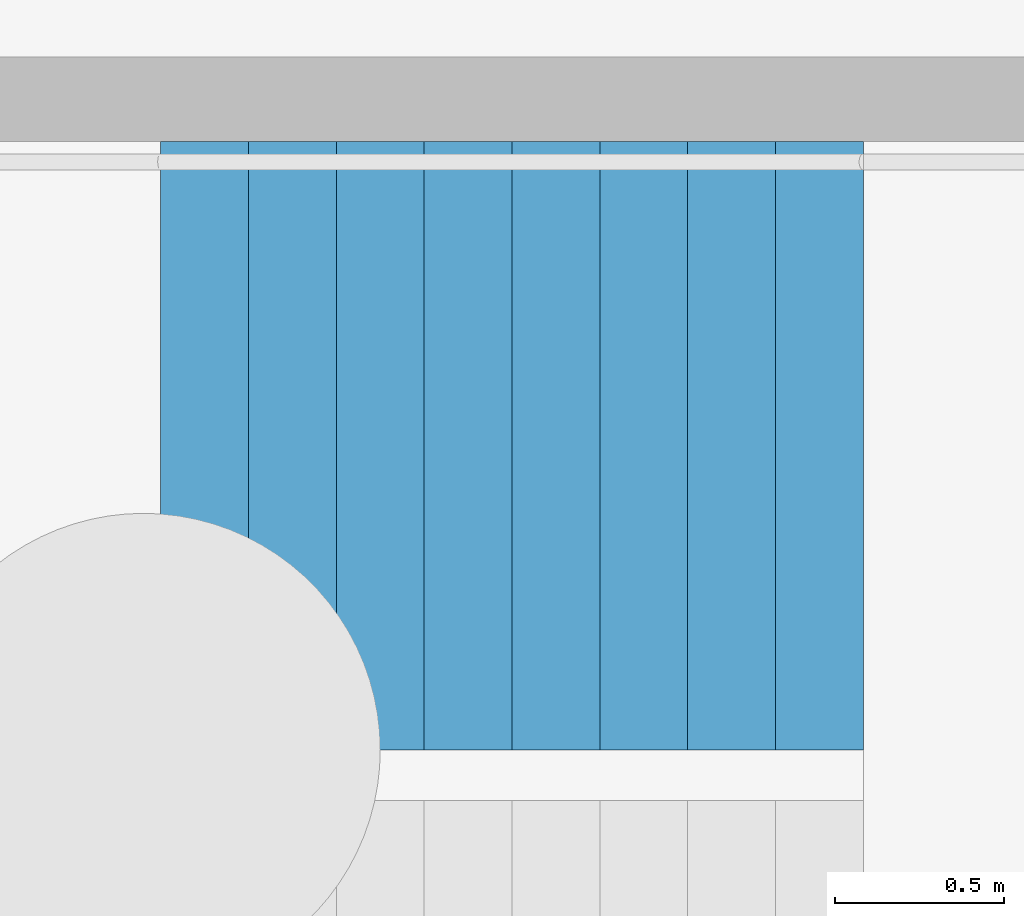
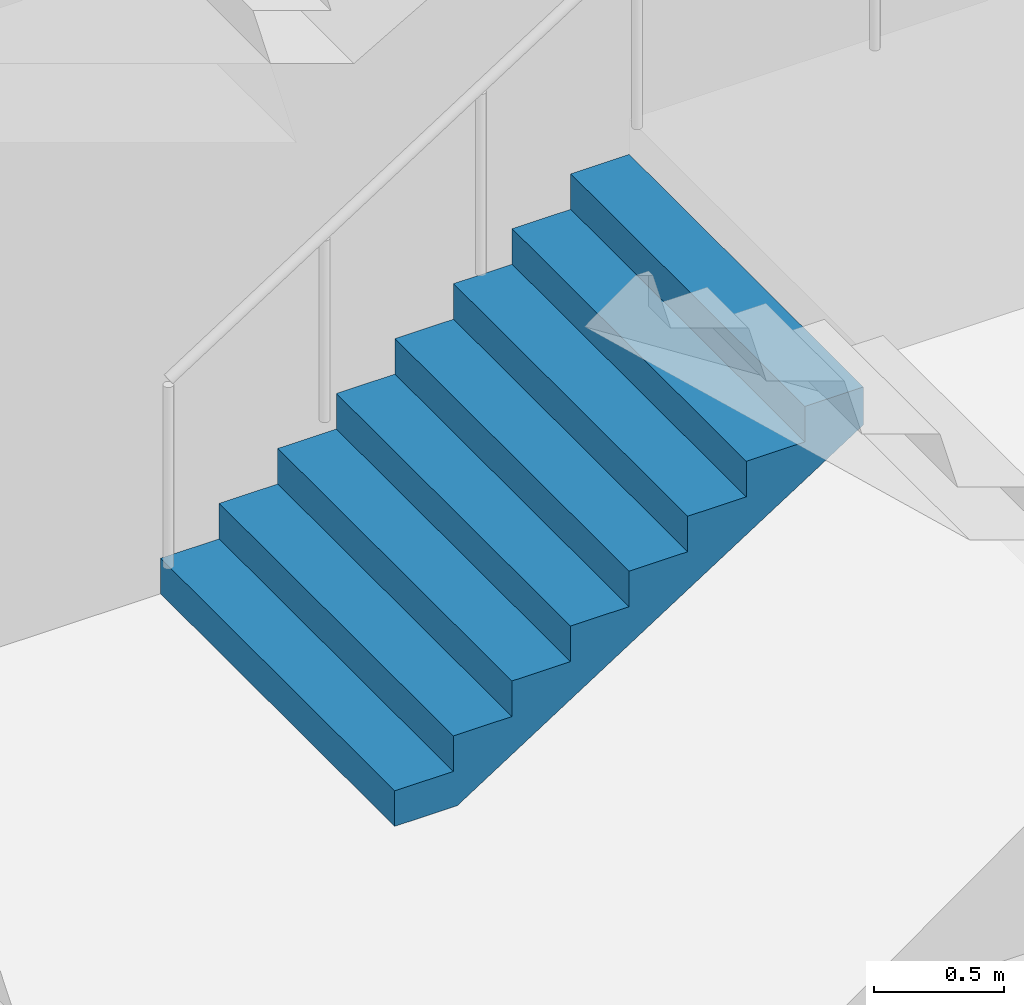
# One storey, part 75 of 113: 1 stair flight, 1 element without a shape of its own.
"""IFC4 building model written with IfcOpenShell, lengths in metres."""

from ifc_helpers import new_model, si_unit, direction, frame, origin, place, context, subcontext, project, spatial, triangles, material, type_object, element, aggregate, save


model = new_model("IFC4")

# Units and contexts
model_context = context("Model", 3, precision=1e-05, world=origin(), true_north=direction((0.0, 1.0)))
body_context = subcontext(model_context, "Body", "Model", "MODEL_VIEW")
ifc_project = project(units=[si_unit("LENGTHUNIT", "METRE"), si_unit("AREAUNIT", "SQUARE_METRE"), si_unit("VOLUMEUNIT", "CUBIC_METRE"), si_unit("PLANEANGLEUNIT", "RADIAN"), si_unit("MASSUNIT", "GRAM", prefix="KILO")], contexts=[model_context])

# Site, building, storey
site_placement = place(None, origin())
site = spatial("IfcSite", under=ifc_project, at=site_placement, CompositionType="ELEMENT")
building_placement = place(site_placement, origin())
building = spatial("IfcBuilding", under=site, at=building_placement, Name="Hakoniwa Tower and Hamabe Station Hall", CompositionType="ELEMENT")
storey_placement = place(building_placement, origin())
storey = spatial("IfcBuildingStorey", under=building, at=storey_placement, Name="L01", CompositionType="ELEMENT", Elevation=0.0)

# Stair, stair flight
ifc_material_1 = material(Name="Concrete C40", Category="concrete")
stair_type = type_object("IfcStairType", Name="ESCAPE STAIR 1800", PredefinedType="HALF_TURN_STAIR", material=ifc_material_1)
stair_placement = place(storey_placement, origin())
stair = element("IfcStair", 1, at=stair_placement, inside=storey, type_object=stair_type, Name="Escape stair ST-4 L01", PredefinedType="HALF_TURN_STAIR")
ifc_material_2 = material(Name="Concrete C40", Category="concrete")
stair_flight_type = type_object("IfcStairFlightType", Name="STAIR FLIGHT 1800", PredefinedType="STRAIGHT", material=ifc_material_2)
stair_flight_placement = place(storey_placement, frame((23.39990234375, -4.64990234375, 0.0), z_axis=(0.0, 0.0, 1.0), x_axis=(1.0, 0.0, 0.0)))
stair_flight = element("IfcStairFlight", 2, at=stair_flight_placement, type_object=stair_flight_type, Name="ST-4 flight 1", NumberOfRisers=9, NumberOfTreads=8, PredefinedType="STRAIGHT", RiserHeight=0.166666667, TreadLength=0.26, context=body_context, shape_type="Tessellation", body=[
    triangles([(0.0, 0.89990234375, 0.0), (0.260009765625, 0.89990234375, 0.0), (0.27783203125, 0.89990234375, 0.0), (0.52001953125, 0.89990234375, 0.1552734375), (0.780029296875, 0.89990234375, 0.322021484375), (1.0400390625, 0.89990234375, 0.488525390625), (1.300048828125, 0.89990234375, 0.6552734375), (1.56005859375, 0.89990234375, 0.822021484375), (1.820068359375, 0.89990234375, 0.988525390625), (2.080078125, 0.89990234375, 1.1552734375), (2.080078125, 0.89990234375, 1.333251953125), (1.820068359375, 0.89990234375, 1.333251953125), (1.820068359375, 0.89990234375, 1.166748046875), (1.56005859375, 0.89990234375, 1.166748046875), (1.56005859375, 0.89990234375, 1.0), (1.300048828125, 0.89990234375, 1.0), (1.300048828125, 0.89990234375, 0.833251953125), (1.0400390625, 0.89990234375, 0.833251953125), (1.0400390625, 0.89990234375, 0.666748046875), (0.780029296875, 0.89990234375, 0.666748046875), (0.780029296875, 0.89990234375, 0.5), (0.52001953125, 0.89990234375, 0.5), (0.52001953125, 0.89990234375, 0.333251953125), (0.27783203125, 0.89990234375, 0.333251953125), (0.260009765625, 0.89990234375, 0.333251953125), (0.260009765625, 0.89990234375, 0.166748046875), (0.0, 0.89990234375, 0.166748046875), (0.0, 0.06005859375, 0.0), (0.260009765625, 0.06005859375, 0.0), (0.27783203125, 0.06005859375, 0.0), (0.52001953125, 0.06005859375, 0.1552734375), (0.780029296875, 0.06005859375, 0.322021484375), (1.0400390625, 0.06005859375, 0.488525390625), (1.300048828125, 0.06005859375, 0.6552734375), (1.56005859375, 0.06005859375, 0.822021484375), (1.820068359375, 0.06005859375, 0.988525390625), (2.080078125, 0.06005859375, 1.1552734375), (2.080078125, 0.06005859375, 1.333251953125), (1.820068359375, 0.06005859375, 1.333251953125), (1.820068359375, 0.06005859375, 1.166748046875), (1.56005859375, 0.06005859375, 1.166748046875), (1.56005859375, 0.06005859375, 1.0), (1.300048828125, 0.06005859375, 1.0), (1.300048828125, 0.06005859375, 0.833251953125), (1.0400390625, 0.06005859375, 0.833251953125), (1.0400390625, 0.06005859375, 0.666748046875), (0.780029296875, 0.06005859375, 0.666748046875), (0.780029296875, 0.06005859375, 0.5), (0.52001953125, 0.06005859375, 0.5), (0.52001953125, 0.06005859375, 0.333251953125), (0.27783203125, 0.06005859375, 0.333251953125), (0.260009765625, 0.06005859375, 0.333251953125), (0.260009765625, 0.06005859375, 0.166748046875), (0.0, 0.06005859375, 0.166748046875), (0.0, 0.04296875, 0.0), (0.260009765625, 0.04296875, 0.0), (0.27783203125, 0.04296875, 0.0), (0.52001953125, 0.04296875, 0.1552734375), (0.780029296875, 0.04296875, 0.322021484375), (1.0400390625, 0.04296875, 0.488525390625), (1.300048828125, 0.04296875, 0.6552734375), (1.56005859375, 0.04296875, 0.822021484375), (1.820068359375, 0.04296875, 0.988525390625), (2.080078125, 0.04296875, 1.1552734375), (2.080078125, 0.04296875, 1.333251953125), (1.820068359375, 0.04296875, 1.333251953125), (1.820068359375, 0.04296875, 1.166748046875), (1.56005859375, 0.04296875, 1.166748046875), (1.56005859375, 0.04296875, 1.0), (1.300048828125, 0.04296875, 1.0), (1.300048828125, 0.04296875, 0.833251953125), (1.0400390625, 0.04296875, 0.833251953125), (1.0400390625, 0.04296875, 0.666748046875), (0.780029296875, 0.04296875, 0.666748046875), (0.780029296875, 0.04296875, 0.5), (0.52001953125, 0.04296875, 0.5), (0.52001953125, 0.04296875, 0.333251953125), (0.27783203125, 0.04296875, 0.333251953125), (0.260009765625, 0.04296875, 0.333251953125), (0.260009765625, 0.04296875, 0.166748046875), (0.0, 0.04296875, 0.166748046875), (0.0, 0.025634765625, 0.0), (0.260009765625, 0.025634765625, 0.0), (0.27783203125, 0.025634765625, 0.0), (0.52001953125, 0.025634765625, 0.1552734375), (0.780029296875, 0.025634765625, 0.322021484375), (1.0400390625, 0.025634765625, 0.488525390625), (1.300048828125, 0.025634765625, 0.6552734375), (1.56005859375, 0.025634765625, 0.822021484375), (1.820068359375, 0.025634765625, 0.988525390625), (2.080078125, 0.025634765625, 1.1552734375), (2.080078125, 0.025634765625, 1.333251953125), (1.820068359375, 0.025634765625, 1.333251953125), (1.820068359375, 0.025634765625, 1.166748046875), (1.56005859375, 0.025634765625, 1.166748046875), (1.56005859375, 0.025634765625, 1.0), (1.300048828125, 0.025634765625, 1.0), (1.300048828125, 0.025634765625, 0.833251953125), (1.0400390625, 0.025634765625, 0.833251953125), (1.0400390625, 0.025634765625, 0.666748046875), (0.780029296875, 0.025634765625, 0.666748046875), (0.780029296875, 0.025634765625, 0.5), (0.52001953125, 0.025634765625, 0.5), (0.52001953125, 0.025634765625, 0.333251953125), (0.27783203125, 0.025634765625, 0.333251953125), (0.260009765625, 0.025634765625, 0.333251953125), (0.260009765625, 0.025634765625, 0.166748046875), (0.0, 0.025634765625, 0.166748046875), (0.0, 0.008544921875, 0.0), (0.260009765625, 0.008544921875, 0.0), (0.27783203125, 0.008544921875, 0.0), (0.52001953125, 0.008544921875, 0.1552734375), (0.780029296875, 0.008544921875, 0.322021484375), (1.0400390625, 0.008544921875, 0.488525390625), (1.300048828125, 0.008544921875, 0.6552734375), (1.56005859375, 0.008544921875, 0.822021484375), (1.820068359375, 0.008544921875, 0.988525390625), (2.080078125, 0.008544921875, 1.1552734375), (2.080078125, 0.008544921875, 1.333251953125), (1.820068359375, 0.008544921875, 1.333251953125), (1.820068359375, 0.008544921875, 1.166748046875), (1.56005859375, 0.008544921875, 1.166748046875), (1.56005859375, 0.008544921875, 1.0), (1.300048828125, 0.008544921875, 1.0), (1.300048828125, 0.008544921875, 0.833251953125), (1.0400390625, 0.008544921875, 0.833251953125), (1.0400390625, 0.008544921875, 0.666748046875), (0.780029296875, 0.008544921875, 0.666748046875), (0.780029296875, 0.008544921875, 0.5), (0.52001953125, 0.008544921875, 0.5), (0.52001953125, 0.008544921875, 0.333251953125), (0.27783203125, 0.008544921875, 0.333251953125), (0.260009765625, 0.008544921875, 0.333251953125), (0.260009765625, 0.008544921875, 0.166748046875), (0.0, 0.008544921875, 0.166748046875), (0.0, -0.008544921875, 0.0), (0.260009765625, -0.008544921875, 0.0), (0.27783203125, -0.008544921875, 0.0), (0.52001953125, -0.008544921875, 0.1552734375), (0.780029296875, -0.008544921875, 0.322021484375), (1.0400390625, -0.008544921875, 0.488525390625), (1.300048828125, -0.008544921875, 0.6552734375), (1.56005859375, -0.008544921875, 0.822021484375), (1.820068359375, -0.008544921875, 0.988525390625), (2.080078125, -0.008544921875, 1.1552734375), (2.080078125, -0.008544921875, 1.333251953125), (1.820068359375, -0.008544921875, 1.333251953125), (1.820068359375, -0.008544921875, 1.166748046875), (1.56005859375, -0.008544921875, 1.166748046875), (1.56005859375, -0.008544921875, 1.0), (1.300048828125, -0.008544921875, 1.0), (1.300048828125, -0.008544921875, 0.833251953125), (1.0400390625, -0.008544921875, 0.833251953125), (1.0400390625, -0.008544921875, 0.666748046875), (0.780029296875, -0.008544921875, 0.666748046875), (0.780029296875, -0.008544921875, 0.5), (0.52001953125, -0.008544921875, 0.5), (0.52001953125, -0.008544921875, 0.333251953125), (0.27783203125, -0.008544921875, 0.333251953125), (0.260009765625, -0.008544921875, 0.333251953125), (0.260009765625, -0.008544921875, 0.166748046875), (0.0, -0.008544921875, 0.166748046875), (0.0, -0.025634765625, 0.0), (0.260009765625, -0.025634765625, 0.0), (0.27783203125, -0.025634765625, 0.0), (0.52001953125, -0.025634765625, 0.1552734375), (0.780029296875, -0.025634765625, 0.322021484375), (1.0400390625, -0.025634765625, 0.488525390625), (1.300048828125, -0.025634765625, 0.6552734375), (1.56005859375, -0.025634765625, 0.822021484375), (1.820068359375, -0.025634765625, 0.988525390625), (2.080078125, -0.025634765625, 1.1552734375), (2.080078125, -0.025634765625, 1.333251953125), (1.820068359375, -0.025634765625, 1.333251953125), (1.820068359375, -0.025634765625, 1.166748046875), (1.56005859375, -0.025634765625, 1.166748046875), (1.56005859375, -0.025634765625, 1.0), (1.300048828125, -0.025634765625, 1.0), (1.300048828125, -0.025634765625, 0.833251953125), (1.0400390625, -0.025634765625, 0.833251953125), (1.0400390625, -0.025634765625, 0.666748046875), (0.780029296875, -0.025634765625, 0.666748046875), (0.780029296875, -0.025634765625, 0.5), (0.52001953125, -0.025634765625, 0.5), (0.52001953125, -0.025634765625, 0.333251953125), (0.27783203125, -0.025634765625, 0.333251953125), (0.260009765625, -0.025634765625, 0.333251953125), (0.260009765625, -0.025634765625, 0.166748046875), (0.0, -0.025634765625, 0.166748046875), (0.0, -0.04296875, 0.0), (0.260009765625, -0.04296875, 0.0), (0.27783203125, -0.04296875, 0.0), (0.52001953125, -0.04296875, 0.1552734375), (0.780029296875, -0.04296875, 0.322021484375), (1.0400390625, -0.04296875, 0.488525390625), (1.300048828125, -0.04296875, 0.6552734375), (1.56005859375, -0.04296875, 0.822021484375), (1.820068359375, -0.04296875, 0.988525390625), (2.080078125, -0.04296875, 1.1552734375), (2.080078125, -0.04296875, 1.333251953125), (1.820068359375, -0.04296875, 1.333251953125), (1.820068359375, -0.04296875, 1.166748046875), (1.56005859375, -0.04296875, 1.166748046875), (1.56005859375, -0.04296875, 1.0), (1.300048828125, -0.04296875, 1.0), (1.300048828125, -0.04296875, 0.833251953125), (1.0400390625, -0.04296875, 0.833251953125), (1.0400390625, -0.04296875, 0.666748046875), (0.780029296875, -0.04296875, 0.666748046875), (0.780029296875, -0.04296875, 0.5), (0.52001953125, -0.04296875, 0.5), (0.52001953125, -0.04296875, 0.333251953125), (0.27783203125, -0.04296875, 0.333251953125), (0.260009765625, -0.04296875, 0.333251953125), (0.260009765625, -0.04296875, 0.166748046875), (0.0, -0.04296875, 0.166748046875), (0.0, -0.06005859375, 0.0), (0.260009765625, -0.06005859375, 0.0), (0.27783203125, -0.06005859375, 0.0), (0.52001953125, -0.06005859375, 0.1552734375), (0.780029296875, -0.06005859375, 0.322021484375), (1.0400390625, -0.06005859375, 0.488525390625), (1.300048828125, -0.06005859375, 0.6552734375), (1.56005859375, -0.06005859375, 0.822021484375), (1.820068359375, -0.06005859375, 0.988525390625), (2.080078125, -0.06005859375, 1.1552734375), (2.080078125, -0.06005859375, 1.333251953125), (1.820068359375, -0.06005859375, 1.333251953125), (1.820068359375, -0.06005859375, 1.166748046875), (1.56005859375, -0.06005859375, 1.166748046875), (1.56005859375, -0.06005859375, 1.0), (1.300048828125, -0.06005859375, 1.0), (1.300048828125, -0.06005859375, 0.833251953125), (1.0400390625, -0.06005859375, 0.833251953125), (1.0400390625, -0.06005859375, 0.666748046875), (0.780029296875, -0.06005859375, 0.666748046875), (0.780029296875, -0.06005859375, 0.5), (0.52001953125, -0.06005859375, 0.5), (0.52001953125, -0.06005859375, 0.333251953125), (0.27783203125, -0.06005859375, 0.333251953125), (0.260009765625, -0.06005859375, 0.333251953125), (0.260009765625, -0.06005859375, 0.166748046875), (0.0, -0.06005859375, 0.166748046875), (0.0, -0.89990234375, 0.0), (0.260009765625, -0.89990234375, 0.0), (0.27783203125, -0.89990234375, 0.0), (0.52001953125, -0.89990234375, 0.1552734375), (0.780029296875, -0.89990234375, 0.322021484375), (1.0400390625, -0.89990234375, 0.488525390625), (1.300048828125, -0.89990234375, 0.6552734375), (1.56005859375, -0.89990234375, 0.822021484375), (1.820068359375, -0.89990234375, 0.988525390625), (2.080078125, -0.89990234375, 1.1552734375), (2.080078125, -0.89990234375, 1.333251953125), (1.820068359375, -0.89990234375, 1.333251953125), (1.820068359375, -0.89990234375, 1.166748046875), (1.56005859375, -0.89990234375, 1.166748046875), (1.56005859375, -0.89990234375, 1.0), (1.300048828125, -0.89990234375, 1.0), (1.300048828125, -0.89990234375, 0.833251953125), (1.0400390625, -0.89990234375, 0.833251953125), (1.0400390625, -0.89990234375, 0.666748046875), (0.780029296875, -0.89990234375, 0.666748046875), (0.780029296875, -0.89990234375, 0.5), (0.52001953125, -0.89990234375, 0.5), (0.52001953125, -0.89990234375, 0.333251953125), (0.27783203125, -0.89990234375, 0.333251953125), (0.260009765625, -0.89990234375, 0.333251953125), (0.260009765625, -0.89990234375, 0.166748046875), (0.0, -0.89990234375, 0.166748046875)], [[2, 27, 26], [245, 269, 270], [2, 1, 27], [245, 270, 244], [3, 25, 24], [246, 267, 268], [3, 26, 25], [246, 268, 269], [3, 2, 26], [246, 269, 245], [4, 24, 23], [247, 266, 267], [4, 3, 24], [247, 267, 246], [5, 22, 21], [248, 264, 265], [5, 23, 22], [248, 265, 266], [5, 4, 23], [248, 266, 247], [6, 20, 19], [249, 262, 263], [6, 21, 20], [249, 263, 264], [6, 5, 21], [249, 264, 248], [7, 18, 17], [250, 260, 261], [7, 19, 18], [250, 261, 262], [7, 6, 19], [250, 262, 249], [8, 16, 15], [251, 258, 259], [8, 17, 16], [251, 259, 260], [8, 7, 17], [251, 260, 250], [9, 14, 13], [252, 256, 257], [9, 15, 14], [252, 257, 258], [9, 8, 15], [252, 258, 251], [10, 12, 11], [253, 254, 255], [10, 13, 12], [253, 255, 256], [10, 9, 13], [253, 256, 252], [1, 2, 29], [1, 29, 28], [28, 29, 56], [28, 56, 55], [55, 56, 83], [55, 83, 82], [82, 83, 110], [82, 110, 109], [109, 110, 137], [109, 137, 136], [136, 137, 164], [136, 164, 163], [163, 164, 191], [163, 191, 190], [190, 191, 218], [190, 218, 217], [217, 218, 245], [217, 245, 244], [2, 3, 30], [2, 30, 29], [29, 30, 57], [29, 57, 56], [56, 57, 84], [56, 84, 83], [83, 84, 111], [83, 111, 110], [110, 111, 138], [110, 138, 137], [137, 138, 165], [137, 165, 164], [164, 165, 192], [164, 192, 191], [191, 192, 219], [191, 219, 218], [218, 219, 246], [218, 246, 245], [3, 4, 31], [3, 31, 30], [30, 31, 58], [30, 58, 57], [57, 58, 85], [57, 85, 84], [84, 85, 112], [84, 112, 111], [111, 112, 139], [111, 139, 138], [138, 139, 166], [138, 166, 165], [165, 166, 193], [165, 193, 192], [192, 193, 220], [192, 220, 219], [219, 220, 247], [219, 247, 246], [4, 5, 32], [4, 32, 31], [31, 32, 59], [31, 59, 58], [58, 59, 86], [58, 86, 85], [85, 86, 113], [85, 113, 112], [112, 113, 140], [112, 140, 139], [139, 140, 167], [139, 167, 166], [166, 167, 194], [166, 194, 193], [193, 194, 221], [193, 221, 220], [220, 221, 248], [220, 248, 247], [5, 6, 33], [5, 33, 32], [32, 33, 60], [32, 60, 59], [59, 60, 87], [59, 87, 86], [86, 87, 114], [86, 114, 113], [113, 114, 141], [113, 141, 140], [140, 141, 168], [140, 168, 167], [167, 168, 195], [167, 195, 194], [194, 195, 222], [194, 222, 221], [221, 222, 249], [221, 249, 248], [6, 7, 34], [6, 34, 33], [33, 34, 61], [33, 61, 60], [60, 61, 88], [60, 88, 87], [87, 88, 115], [87, 115, 114], [114, 115, 142], [114, 142, 141], [141, 142, 169], [141, 169, 168], [168, 169, 196], [168, 196, 195], [195, 196, 223], [195, 223, 222], [222, 223, 250], [222, 250, 249], [7, 8, 35], [7, 35, 34], [34, 35, 62], [34, 62, 61], [61, 62, 89], [61, 89, 88], [88, 89, 116], [88, 116, 115], [115, 116, 143], [115, 143, 142], [142, 143, 170], [142, 170, 169], [169, 170, 197], [169, 197, 196], [196, 197, 224], [196, 224, 223], [223, 224, 251], [223, 251, 250], [8, 9, 36], [8, 36, 35], [35, 36, 63], [35, 63, 62], [62, 63, 90], [62, 90, 89], [89, 90, 117], [89, 117, 116], [116, 117, 144], [116, 144, 143], [143, 144, 171], [143, 171, 170], [170, 171, 198], [170, 198, 197], [197, 198, 225], [197, 225, 224], [224, 225, 252], [224, 252, 251], [9, 10, 37], [9, 37, 36], [36, 37, 64], [36, 64, 63], [63, 64, 91], [63, 91, 90], [90, 91, 118], [90, 118, 117], [117, 118, 145], [117, 145, 144], [144, 145, 172], [144, 172, 171], [171, 172, 199], [171, 199, 198], [198, 199, 226], [198, 226, 225], [225, 226, 253], [225, 253, 252], [10, 11, 38], [10, 38, 37], [37, 38, 65], [37, 65, 64], [64, 65, 92], [64, 92, 91], [91, 92, 119], [91, 119, 118], [118, 119, 146], [118, 146, 145], [145, 146, 173], [145, 173, 172], [172, 173, 200], [172, 200, 199], [199, 200, 227], [199, 227, 226], [226, 227, 254], [226, 254, 253], [11, 12, 39], [11, 39, 38], [38, 39, 66], [38, 66, 65], [65, 66, 93], [65, 93, 92], [92, 93, 120], [92, 120, 119], [119, 120, 147], [119, 147, 146], [146, 147, 174], [146, 174, 173], [173, 174, 201], [173, 201, 200], [200, 201, 228], [200, 228, 227], [227, 228, 255], [227, 255, 254], [12, 13, 40], [12, 40, 39], [39, 40, 67], [39, 67, 66], [66, 67, 94], [66, 94, 93], [93, 94, 121], [93, 121, 120], [120, 121, 148], [120, 148, 147], [147, 148, 175], [147, 175, 174], [174, 175, 202], [174, 202, 201], [201, 202, 229], [201, 229, 228], [228, 229, 256], [228, 256, 255], [13, 14, 41], [13, 41, 40], [40, 41, 68], [40, 68, 67], [67, 68, 95], [67, 95, 94], [94, 95, 122], [94, 122, 121], [121, 122, 149], [121, 149, 148], [148, 149, 176], [148, 176, 175], [175, 176, 203], [175, 203, 202], [202, 203, 230], [202, 230, 229], [229, 230, 257], [229, 257, 256], [14, 15, 42], [14, 42, 41], [41, 42, 69], [41, 69, 68], [68, 69, 96], [68, 96, 95], [95, 96, 123], [95, 123, 122], [122, 123, 150], [122, 150, 149], [149, 150, 177], [149, 177, 176], [176, 177, 204], [176, 204, 203], [203, 204, 231], [203, 231, 230], [230, 231, 258], [230, 258, 257], [15, 16, 43], [15, 43, 42], [42, 43, 70], [42, 70, 69], [69, 70, 97], [69, 97, 96], [96, 97, 124], [96, 124, 123], [123, 124, 151], [123, 151, 150], [150, 151, 178], [150, 178, 177], [177, 178, 205], [177, 205, 204], [204, 205, 232], [204, 232, 231], [231, 232, 259], [231, 259, 258], [16, 17, 44], [16, 44, 43], [43, 44, 71], [43, 71, 70], [70, 71, 98], [70, 98, 97], [97, 98, 125], [97, 125, 124], [124, 125, 152], [124, 152, 151], [151, 152, 179], [151, 179, 178], [178, 179, 206], [178, 206, 205], [205, 206, 233], [205, 233, 232], [232, 233, 260], [232, 260, 259], [17, 18, 45], [17, 45, 44], [44, 45, 72], [44, 72, 71], [71, 72, 99], [71, 99, 98], [98, 99, 126], [98, 126, 125], [125, 126, 153], [125, 153, 152], [152, 153, 180], [152, 180, 179], [179, 180, 207], [179, 207, 206], [206, 207, 234], [206, 234, 233], [233, 234, 261], [233, 261, 260], [18, 19, 46], [18, 46, 45], [45, 46, 73], [45, 73, 72], [72, 73, 100], [72, 100, 99], [99, 100, 127], [99, 127, 126], [126, 127, 154], [126, 154, 153], [153, 154, 181], [153, 181, 180], [180, 181, 208], [180, 208, 207], [207, 208, 235], [207, 235, 234], [234, 235, 262], [234, 262, 261], [19, 20, 47], [19, 47, 46], [46, 47, 74], [46, 74, 73], [73, 74, 101], [73, 101, 100], [100, 101, 128], [100, 128, 127], [127, 128, 155], [127, 155, 154], [154, 155, 182], [154, 182, 181], [181, 182, 209], [181, 209, 208], [208, 209, 236], [208, 236, 235], [235, 236, 263], [235, 263, 262], [20, 21, 48], [20, 48, 47], [47, 48, 75], [47, 75, 74], [74, 75, 102], [74, 102, 101], [101, 102, 129], [101, 129, 128], [128, 129, 156], [128, 156, 155], [155, 156, 183], [155, 183, 182], [182, 183, 210], [182, 210, 209], [209, 210, 237], [209, 237, 236], [236, 237, 264], [236, 264, 263], [21, 22, 49], [21, 49, 48], [48, 49, 76], [48, 76, 75], [75, 76, 103], [75, 103, 102], [102, 103, 130], [102, 130, 129], [129, 130, 157], [129, 157, 156], [156, 157, 184], [156, 184, 183], [183, 184, 211], [183, 211, 210], [210, 211, 238], [210, 238, 237], [237, 238, 265], [237, 265, 264], [22, 23, 50], [22, 50, 49], [49, 50, 77], [49, 77, 76], [76, 77, 104], [76, 104, 103], [103, 104, 131], [103, 131, 130], [130, 131, 158], [130, 158, 157], [157, 158, 185], [157, 185, 184], [184, 185, 212], [184, 212, 211], [211, 212, 239], [211, 239, 238], [238, 239, 266], [238, 266, 265], [23, 24, 51], [23, 51, 50], [50, 51, 78], [50, 78, 77], [77, 78, 105], [77, 105, 104], [104, 105, 132], [104, 132, 131], [131, 132, 159], [131, 159, 158], [158, 159, 186], [158, 186, 185], [185, 186, 213], [185, 213, 212], [212, 213, 240], [212, 240, 239], [239, 240, 267], [239, 267, 266], [24, 25, 52], [24, 52, 51], [51, 52, 79], [51, 79, 78], [78, 79, 106], [78, 106, 105], [105, 106, 133], [105, 133, 132], [132, 133, 160], [132, 160, 159], [159, 160, 187], [159, 187, 186], [186, 187, 214], [186, 214, 213], [213, 214, 241], [213, 241, 240], [240, 241, 268], [240, 268, 267], [25, 26, 53], [25, 53, 52], [52, 53, 80], [52, 80, 79], [79, 80, 107], [79, 107, 106], [106, 107, 134], [106, 134, 133], [133, 134, 161], [133, 161, 160], [160, 161, 188], [160, 188, 187], [187, 188, 215], [187, 215, 214], [214, 215, 242], [214, 242, 241], [241, 242, 269], [241, 269, 268], [26, 27, 54], [26, 54, 53], [53, 54, 81], [53, 81, 80], [80, 81, 108], [80, 108, 107], [107, 108, 135], [107, 135, 134], [134, 135, 162], [134, 162, 161], [161, 162, 189], [161, 189, 188], [188, 189, 216], [188, 216, 215], [215, 216, 243], [215, 243, 242], [242, 243, 270], [242, 270, 269], [27, 1, 28], [27, 28, 54], [54, 28, 55], [54, 55, 81], [81, 55, 82], [81, 82, 108], [108, 82, 109], [108, 109, 135], [135, 109, 136], [135, 136, 162], [162, 136, 163], [162, 163, 189], [189, 163, 190], [189, 190, 216], [216, 190, 217], [216, 217, 243], [243, 217, 244], [243, 244, 270]], closed=True),
])
aggregate(stair, [stair_flight])

save(model, "model.ifc")
